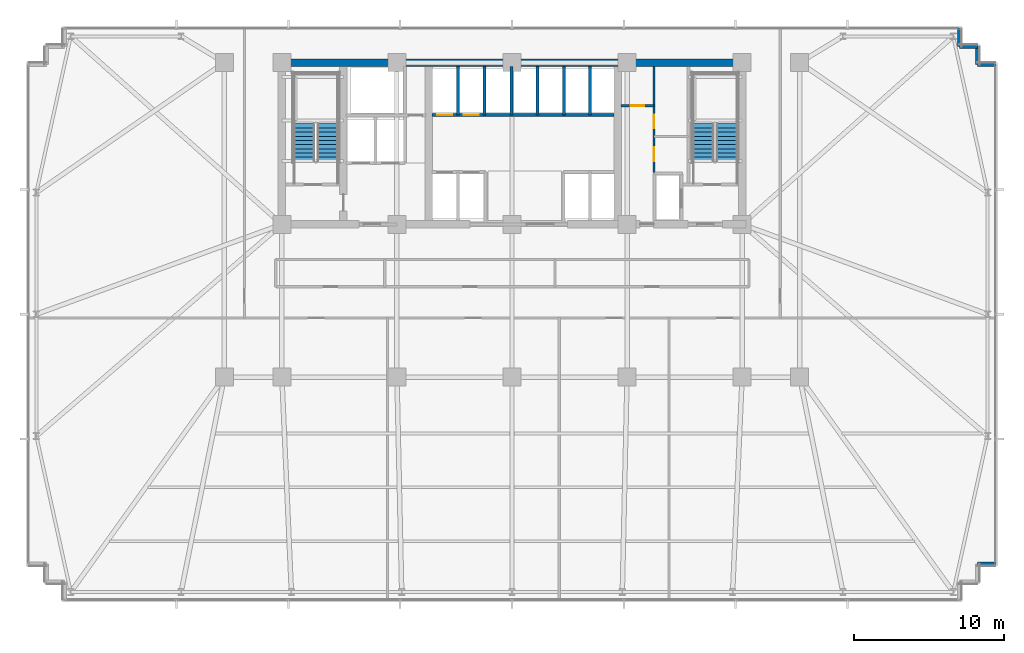
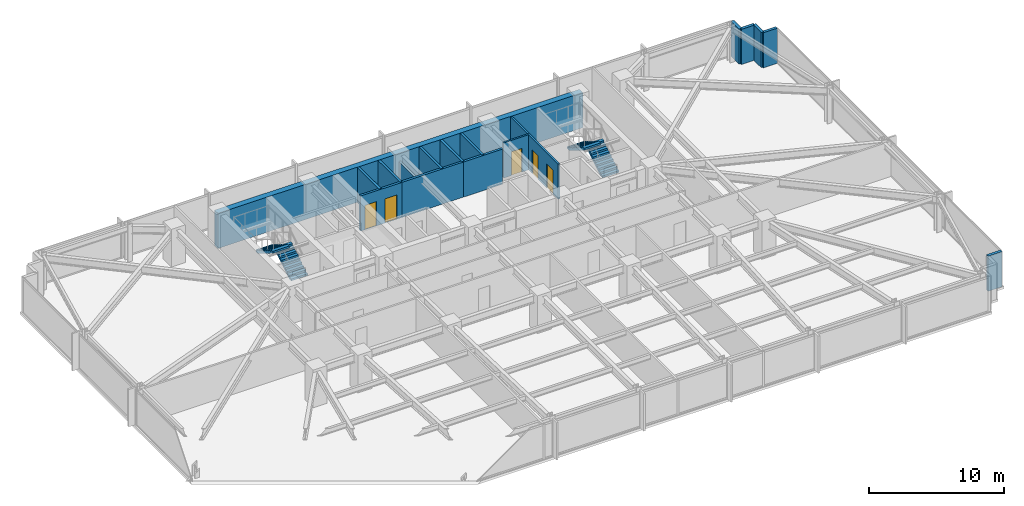
# One storey, part 26 of 33: 17 walls, 5 doors, 4 stair flights, 5 openings, 2 elements without a shape of their own.
"""IFC4 building model written with IfcOpenShell, lengths in metres."""

from ifc_helpers import new_model, si_unit, direction, frame, frame_2d, origin, place, context, subcontext, project, spatial, polyline, rectangle, outline, extrude, material, layer, layer_set, type_object, element, fill, aggregate, save


model = new_model("IFC4")

# Units and contexts
model_context = context("Model", 3, precision=1e-05, world=origin(), true_north=direction((0.0, 1.0)))
body_context = subcontext(model_context, "Body", "Model", "MODEL_VIEW")
ifc_project = project(units=[si_unit("LENGTHUNIT", "METRE"), si_unit("AREAUNIT", "SQUARE_METRE"), si_unit("VOLUMEUNIT", "CUBIC_METRE"), si_unit("PLANEANGLEUNIT", "RADIAN"), si_unit("MASSUNIT", "GRAM", prefix="KILO")], contexts=[model_context])

# Site, building, storey
site_placement = place(None, origin())
site = spatial("IfcSite", under=ifc_project, at=site_placement, CompositionType="ELEMENT")
building_placement = place(site_placement, origin())
building = spatial("IfcBuilding", under=site, at=building_placement, Name="Yelkora Congress Tower", CompositionType="ELEMENT")
storey_placement = place(building_placement, frame((0.0, 0.0, 64.39990234375)))
storey = spatial("IfcBuildingStorey", under=building, at=storey_placement, Name="L16", CompositionType="ELEMENT", Elevation=64.39990234375)

# Walls
ifc_material_1 = material(Name="Concrete C60/75", Category="concrete")
ifc_layer_1 = layer(ifc_material_1, 0.5)
ifc_layer_set_1 = layer_set([ifc_layer_1], Name="Concrete C60/75")
wall_type_1 = type_object("IfcWallType", Name="WALL-CORE-INT-500", PredefinedType="SHEAR", material=ifc_layer_set_1)
wall_1_placement = place(storey_placement, frame((22.7900390625, 46.199951171875, 0.0), z_axis=(0.0, 0.0, 1.0), x_axis=(1.0, 0.0, 0.0)))
element("IfcWall", 1, at=wall_1_placement, inside=storey, type_object=wall_type_1, Name="L16 Rear Core North Shear Wall", PredefinedType="SHEAR", context=body_context, shape_type="SweptSolid", body=[
    extrude(rectangle(XDim=31.219970703125, YDim=0.5, at=frame_2d((15.60986328125, 0.0))), origin(), (0.0, 0.0, 1.0), 3.18017578125),
])
ifc_material_2 = material(Name="Concrete C40/50", Category="concrete")
ifc_layer_2 = layer(ifc_material_2, 0.239990234375)
ifc_layer_set_2 = layer_set([ifc_layer_2], Name="Concrete C40/50")
wall_type_2 = type_object("IfcWallType", Name="WALL-EXT-LIMESTONE-240", PredefinedType="SOLIDWALL", material=ifc_layer_set_2)
for number, where, z_axis, x_axis, name in (
    (2, (68.260009765625, 48.4599609375, 0.0), (0.0, 0.0, 1.0), (0.0, -1.0, 0.0), "L16 Serrated Corner Limestone Pier 11"),
    (3, (68.260009765625, 47.260009765625, 0.0), (0.0, 0.0, 1.0), (1.0, 0.0, 0.0), "L16 Serrated Corner Limestone Pier 12"),
    (4, (69.4599609375, 47.260009765625, 0.0), (0.0, 0.0, 1.0), (0.0, -1.0, 0.0), "L16 Serrated Corner Limestone Pier 13"),
    (5, (69.4599609375, 46.06005859375, 0.0), (0.0, 0.0, 1.0), (1.0, 0.0, 0.0), "L16 Serrated Corner Limestone Pier 14"),
    (6, (70.659912109375, 12.739990234375, 0.0), (0.0, 0.0, 1.0), (-1.0, 0.0, 0.0), "L16 Serrated Corner Limestone Pier 16"),
):
    element("IfcWall", number, at=place(storey_placement, frame(where, z_axis=z_axis, x_axis=x_axis)), inside=storey, type_object=wall_type_2, Name=name, PredefinedType="SOLIDWALL", context=body_context, shape_type="SweptSolid", body=[
        extrude(rectangle(XDim=1.199951171875, YDim=0.239990234375, at=frame_2d((0.60009765625, 0.0))), origin(), (0.0, 0.0, 1.0), 3.18017578125),
    ])

# Wall, opening, door
ifc_material_3 = material(Name="Acoustic metal-stud gypsum partition", Category="gypsum")
ifc_layer_3 = layer(ifc_material_3, 0.14990234375)
ifc_layer_set_3 = layer_set([ifc_layer_3], Name="Acoustic metal-stud gypsum partition")
wall_type_3 = type_object("IfcWallType", Name="WALL-INT-150-NR", PredefinedType="PARTITIONING", material=ifc_layer_set_3)
wall_2_placement = place(storey_placement, frame((45.679931640625, 43.31005859375, 0.0), z_axis=(0.0, 0.0, 1.0), x_axis=(1.0, 0.0, 0.0)))
wall_2 = element("IfcWall", 7, at=wall_2_placement, inside=storey, type_object=wall_type_3, Name="L16 Partition Wall 28", PredefinedType="PARTITIONING", context=body_context, shape_type="SweptSolid", body=[
    extrude(rectangle(XDim=2.199951171875, YDim=0.14990234375, at=frame_2d((1.10009765625, 0.0))), origin(), (0.0, 0.0, 1.0), 3.18017578125),
])
opening_1_placement = place(wall_2_placement, frame((0.64990234375, 0.0, 0.0)))
opening_1 = element("IfcOpeningElement", 8, at=opening_1_placement, cuts=wall_2, Name="Opening DR-090N", PredefinedType="OPENING", context=body_context, shape_type="SweptSolid", body=[
    extrude(rectangle(XDim=0.89990234375, YDim=2.14990234375, at=frame_2d((0.449951171875, 1.074951171875))), frame((0.0, 0.0849609375, 0.0), z_axis=(0.0, -1.0, 0.0), x_axis=(1.0, 0.0, 0.0)), (0.0, 0.0, 1.0), 0.169921875),
])
ifc_material_4 = material(Name="Moisture-resistant laminate door leaf", Category="wood")
door_type_1 = type_object("IfcDoorType", Name="DOOR-INT-900", OperationType="NOTDEFINED", PredefinedType="DOOR", material=ifc_material_4)
door_1_placement = place(opening_1_placement, origin())
door_1 = element("IfcDoor", 9, at=door_1_placement, inside=storey, type_object=door_type_1, Name="L16 Male WC Door", OperationType="SINGLE_SWING_RIGHT", OverallHeight=2.14990234375, OverallWidth=0.89990234375, PredefinedType="DOOR", context=body_context, shape_type="SweptSolid", body=[
    extrude(rectangle(XDim=0.89990234375, YDim=2.14990234375, at=frame_2d((0.449951171875, 1.074951171875))), frame((0.0, 0.02490234375, 0.0), z_axis=(0.0, -1.0, 0.0), x_axis=(1.0, 0.0, 0.0)), (0.0, 0.0, 1.0), 0.050048828125),
])
fill(opening_1, door_1)

# Wall, openings, doors
wall_3_placement = place(storey_placement, frame((47.8798828125, 38.85009765625, 0.0), z_axis=(0.0, 0.0, 1.0), x_axis=(0.0, 1.0, 0.0)))
wall_3 = element("IfcWall", 10, at=wall_3_placement, inside=storey, type_object=wall_type_3, Name="L16 Partition Wall 30", PredefinedType="PARTITIONING", context=body_context, shape_type="SweptSolid", body=[
    extrude(rectangle(XDim=7.06982421875, YDim=0.14990234375, at=frame_2d((3.534912109375, 0.0))), origin(), (0.0, 0.0, 1.0), 3.18017578125),
])
opening_2_placement = place(wall_3_placement, frame((0.75, 0.0, 0.0)))
opening_2 = element("IfcOpeningElement", 11, at=opening_2_placement, cuts=wall_3, Name="Opening DR-095N", PredefinedType="OPENING", context=body_context, shape_type="SweptSolid", body=[
    extrude(rectangle(XDim=0.949951171875, YDim=2.14990234375, at=frame_2d((0.47509765625, 1.074951171875))), frame((0.0, 0.0849609375, 0.0), z_axis=(0.0, -1.0, 0.0), x_axis=(1.0, 0.0, 0.0)), (0.0, 0.0, 1.0), 0.169921875),
])
opening_3_placement = place(wall_3_placement, frame((2.949951171875, 0.0, 0.0)))
opening_3 = element("IfcOpeningElement", 12, at=opening_3_placement, cuts=wall_3, Name="Opening DR-090N", PredefinedType="OPENING", context=body_context, shape_type="SweptSolid", body=[
    extrude(rectangle(XDim=0.89990234375, YDim=2.14990234375, at=frame_2d((0.449951171875, 1.074951171875))), frame((0.0, 0.0849609375, 0.0), z_axis=(0.0, -1.0, 0.0), x_axis=(1.0, 0.0, 0.0)), (0.0, 0.0, 1.0), 0.169921875),
])
door_2_placement = place(opening_3_placement, origin())
door_2 = element("IfcDoor", 13, at=door_2_placement, inside=storey, type_object=door_type_1, Name="L16 Female WC Door", OperationType="SINGLE_SWING_RIGHT", OverallHeight=2.14990234375, OverallWidth=0.89990234375, PredefinedType="DOOR", context=body_context, shape_type="SweptSolid", body=[
    extrude(rectangle(XDim=0.89990234375, YDim=2.14990234375, at=frame_2d((0.449951171875, 1.074951171875))), frame((0.0, 0.02490234375, 0.0), z_axis=(0.0, -1.0, 0.0), x_axis=(1.0, 0.0, 0.0)), (0.0, 0.0, 1.0), 0.050048828125),
])
fill(opening_3, door_2)
ifc_material_5 = material(Name="Acoustic laminated timber office door", Category="wood")
door_type_2 = type_object("IfcDoorType", Name="DOOR-INT-950", OperationType="NOTDEFINED", PredefinedType="DOOR", material=ifc_material_5)
door_3_placement = place(opening_2_placement, origin())
door_3 = element("IfcDoor", 14, at=door_3_placement, inside=storey, type_object=door_type_2, Name="L16 Accessible WC Door", OperationType="SINGLE_SWING_LEFT", OverallHeight=2.14990234375, OverallWidth=0.949951171875, PredefinedType="DOOR", context=body_context, shape_type="SweptSolid", body=[
    extrude(rectangle(XDim=0.949951171875, YDim=2.14990234375, at=frame_2d((0.47509765625, 1.074951171875))), frame((0.0, 0.02490234375, 0.0), z_axis=(0.0, -1.0, 0.0), x_axis=(1.0, 0.0, 0.0)), (0.0, 0.0, 1.0), 0.050048828125),
])
fill(opening_2, door_3)

# Walls
ifc_material_6 = material(Name="Autoclaved aerated concrete blockwork", Category="masonry")
ifc_layer_4 = layer(ifc_material_6, 0.199951171875)
ifc_layer_set_4 = layer_set([ifc_layer_4], Name="Autoclaved aerated concrete blockwork")
wall_type_4 = type_object("IfcWallType", Name="WALL-INT-200-R120", PredefinedType="PARTITIONING", material=ifc_layer_set_4)
wall_4_placement = place(storey_placement, frame((36.60009765625, 42.699951171875, 0.0), z_axis=(0.0, 0.0, 1.0), x_axis=(1.0, 0.0, 0.0)))
element("IfcWall", 15, at=wall_4_placement, inside=storey, type_object=wall_type_4, Name="L16 Partition Wall 8", PredefinedType="PARTITIONING", context=body_context, shape_type="SweptSolid", body=[
    extrude(rectangle(XDim=5.25, YDim=0.199951171875, at=frame_2d((2.625, 0.0))), origin(), (0.0, 0.0, 1.0), 3.18017578125),
])
wall_5_placement = place(storey_placement, frame((38.35009765625, 42.699951171875, 0.0), z_axis=(0.0, 0.0, 1.0), x_axis=(0.0, 1.0, 0.0)))
element("IfcWall", 16, at=wall_5_placement, inside=storey, type_object=wall_type_4, Name="L16 Partition Wall 9", PredefinedType="PARTITIONING", context=body_context, shape_type="SweptSolid", body=[
    extrude(rectangle(XDim=3.219970703125, YDim=0.199951171875, at=frame_2d((1.60986328125, 0.0))), origin(), (0.0, 0.0, 1.0), 2.47509765625),
])
wall_6_placement = place(storey_placement, frame((40.10009765625, 42.699951171875, 0.0), z_axis=(0.0, 0.0, 1.0), x_axis=(0.0, 1.0, 0.0)))
element("IfcWall", 17, at=wall_6_placement, inside=storey, type_object=wall_type_4, Name="L16 Partition Wall 10", PredefinedType="PARTITIONING", context=body_context, shape_type="SweptSolid", body=[
    extrude(rectangle(XDim=3.219970703125, YDim=0.199951171875, at=frame_2d((1.60986328125, 0.0))), origin(), (0.0, 0.0, 1.0), 3.18017578125),
])

# Wall, openings, doors
wall_7_placement = place(storey_placement, frame((33.050048828125, 42.699951171875, 0.0), z_axis=(0.0, 0.0, 1.0), x_axis=(1.0, 0.0, 0.0)))
wall_7 = element("IfcWall", 18, at=wall_7_placement, inside=storey, type_object=wall_type_4, Name="L16 Partition Wall 12", PredefinedType="PARTITIONING", context=body_context, shape_type="SweptSolid", body=[
    extrude(rectangle(XDim=3.570068359375, YDim=0.199951171875, at=frame_2d((1.78515625, 0.0))), origin(), (0.0, 0.0, 1.0), 3.18017578125),
])
opening_4_placement = place(wall_7_placement, frame((0.375, 0.0, 0.0)))
opening_4 = element("IfcOpeningElement", 19, at=opening_4_placement, cuts=wall_7, Name="Opening LD-PS10", PredefinedType="OPENING", context=body_context, shape_type="SweptSolid", body=[
    extrude(rectangle(XDim=1.0, YDim=2.199951171875, at=frame_2d((0.5, 1.10009765625))), frame((0.0, 0.10986328125, 0.0), z_axis=(0.0, -1.0, 0.0), x_axis=(1.0, 0.0, 0.0)), (0.0, 0.0, 1.0), 0.219970703125),
])
opening_5_placement = place(wall_7_placement, frame((2.125, 0.0, 0.0)))
opening_5 = element("IfcOpeningElement", 20, at=opening_5_placement, cuts=wall_7, Name="Opening LD-PS10", PredefinedType="OPENING", context=body_context, shape_type="SweptSolid", body=[
    extrude(rectangle(XDim=1.0, YDim=2.199951171875, at=frame_2d((0.5, 1.10009765625))), frame((0.0, 0.10986328125, 0.0), z_axis=(0.0, -1.0, 0.0), x_axis=(1.0, 0.0, 0.0)), (0.0, 0.0, 1.0), 0.219970703125),
])
ifc_material_7 = material(Name="Champagne stainless steel landing door", Category="steel")
door_type_3 = type_object("IfcDoorType", Name="DOOR-LIFT-PAS-1000", OperationType="DOUBLE_DOOR_SLIDING", PredefinedType="DOOR", material=ifc_material_7)
door_4_placement = place(opening_4_placement, origin())
door_4 = element("IfcDoor", 21, at=door_4_placement, inside=storey, type_object=door_type_3, Name="Lift Landing Door LF-P3 L16", OperationType="DOUBLE_DOOR_SLIDING", OverallHeight=2.199951171875, OverallWidth=1.0, PredefinedType="DOOR", context=body_context, shape_type="SweptSolid", body=[
    extrude(rectangle(XDim=1.0, YDim=2.199951171875, at=frame_2d((0.5, 1.10009765625))), frame((0.0, 0.02490234375, 0.0), z_axis=(0.0, -1.0, 0.0), x_axis=(1.0, 0.0, 0.0)), (0.0, 0.0, 1.0), 0.050048828125),
])
fill(opening_4, door_4)
door_5_placement = place(opening_5_placement, origin())
door_5 = element("IfcDoor", 22, at=door_5_placement, inside=storey, type_object=door_type_3, Name="Lift Landing Door LF-P4 L16", OperationType="DOUBLE_DOOR_SLIDING", OverallHeight=2.199951171875, OverallWidth=1.0, PredefinedType="DOOR", context=body_context, shape_type="SweptSolid", body=[
    extrude(rectangle(XDim=1.0, YDim=2.199951171875, at=frame_2d((0.5, 1.10009765625))), frame((0.0, 0.02490234375, 0.0), z_axis=(0.0, -1.0, 0.0), x_axis=(1.0, 0.0, 0.0)), (0.0, 0.0, 1.0), 0.050048828125),
])
fill(opening_5, door_5)

# Walls
for number, where, z_axis, x_axis, name in (
    (23, (34.800048828125, 42.699951171875, 0.0), (0.0, 0.0, 1.0), (0.0, 1.0, 0.0), "L16 Partition Wall 14"),
    (24, (36.580078125, 42.699951171875, 0.0), (0.0, 0.0, 1.0), (0.0, 1.0, 0.0), "L16 Partition Wall 16"),
):
    element("IfcWall", number, at=place(storey_placement, frame(where, z_axis=z_axis, x_axis=x_axis)), inside=storey, type_object=wall_type_4, Name=name, PredefinedType="PARTITIONING", context=body_context, shape_type="SweptSolid", body=[
        extrude(rectangle(XDim=3.219970703125, YDim=0.199951171875, at=frame_2d((1.60986328125, 0.0))), origin(), (0.0, 0.0, 1.0), 3.18017578125),
    ])
wall_8_placement = place(storey_placement, frame((41.85009765625, 42.699951171875, 0.0), z_axis=(0.0, 0.0, 1.0), x_axis=(1.0, 0.0, 0.0)))
element("IfcWall", 25, at=wall_8_placement, inside=storey, type_object=wall_type_4, Name="L16 Partition Wall 18", PredefinedType="PARTITIONING", context=body_context, shape_type="SweptSolid", body=[
    extrude(rectangle(XDim=3.369873046875, YDim=0.199951171875, at=frame_2d((1.68505859375, 0.0))), origin(), (0.0, 0.0, 1.0), 3.18017578125),
])
for number, where, z_axis, x_axis, name in (
    (26, (43.60009765625, 42.699951171875, 0.0), (0.0, 0.0, 1.0), (0.0, 1.0, 0.0), "L16 Partition Wall 20"),
    (27, (41.8798828125, 42.699951171875, 0.0), (0.0, 0.0, 1.0), (0.0, 1.0, 0.0), "L16 Partition Wall 22"),
):
    element("IfcWall", number, at=place(storey_placement, frame(where, z_axis=z_axis, x_axis=x_axis)), inside=storey, type_object=wall_type_4, Name=name, PredefinedType="PARTITIONING", context=body_context, shape_type="SweptSolid", body=[
        extrude(rectangle(XDim=3.219970703125, YDim=0.199951171875, at=frame_2d((1.60986328125, 0.0))), origin(), (0.0, 0.0, 1.0), 3.18017578125),
    ])

# Stair, stair flights
stair_type = type_object("IfcStairType", Name="STAIR-HT-1420-R20-170", PredefinedType="HALF_TURN_STAIR", material=ifc_material_2)
stair_1_placement = place(storey_placement, origin())
stair_1 = element("IfcStair", 28, at=stair_1_placement, inside=storey, type_object=stair_type, Name="West Core Protected Exit Stair ST-01 (L16)", PredefinedType="HALF_TURN_STAIR")
stair_flight_type = type_object("IfcStairFlightType", Name="FLIGHT-1420-N10-R170-G280", PredefinedType="STRAIGHT", material=ifc_material_2)
stair_flight_1_placement = place(storey_placement, frame((26.110107421875, 39.60009765625, 0.0), z_axis=(0.0, 0.0, 1.0), x_axis=(0.0, 1.0, 0.0)))
stair_flight_1 = element("IfcStairFlight", 29, at=stair_flight_1_placement, type_object=stair_flight_type, Name="ST-01 L16 Flight 1", NumberOfRisers=10, NumberOfTreads=9, PredefinedType="STRAIGHT", RiserHeight=0.17, TreadLength=0.28, context=body_context, shape_type="SweptSolid", body=[
    extrude(outline(polyline([(0.0, 0.0), (0.0, 0.169921875), (0.280029296875, 0.169921875), (0.280029296875, 0.340087890625), (0.56005859375, 0.340087890625), (0.56005859375, 0.510009765625), (0.840087890625, 0.510009765625), (0.840087890625, 0.679931640625), (1.1201171875, 0.679931640625), (1.1201171875, 0.85009765625), (1.39990234375, 0.85009765625), (1.39990234375, 1.02001953125), (1.679931640625, 1.02001953125), (1.679931640625, 1.18994140625), (1.9599609375, 1.18994140625), (1.9599609375, 1.360107421875), (2.239990234375, 1.360107421875), (2.239990234375, 1.530029296875), (2.52001953125, 1.530029296875), (2.52001953125, 1.699951171875), (2.52001953125, 1.343017578125), (0.30810546875, 0.0), (0.0, 0.0)])), frame((0.0, 0.7099609375, 0.0), z_axis=(0.0, -1.0, 0.0), x_axis=(1.0, 0.0, 0.0)), (0.0, 0.0, 1.0), 1.419921875),
])
stair_flight_2_placement = place(storey_placement, frame((24.530029296875, 42.1201171875, 1.7001953125), z_axis=(0.0, 0.0, 1.0), x_axis=(0.0, -1.0, 0.0)))
stair_flight_2 = element("IfcStairFlight", 30, at=stair_flight_2_placement, type_object=stair_flight_type, Name="ST-01 L16 Flight 2", NumberOfRisers=10, NumberOfTreads=9, PredefinedType="STRAIGHT", RiserHeight=0.17, TreadLength=0.28, context=body_context, shape_type="SweptSolid", body=[
    extrude(outline(polyline([(0.0, 0.0), (0.0, 0.169921875), (0.280029296875, 0.169921875), (0.280029296875, 0.340087890625), (0.56005859375, 0.340087890625), (0.56005859375, 0.510009765625), (0.840087890625, 0.510009765625), (0.840087890625, 0.679931640625), (1.1201171875, 0.679931640625), (1.1201171875, 0.85009765625), (1.39990234375, 0.85009765625), (1.39990234375, 1.02001953125), (1.679931640625, 1.02001953125), (1.679931640625, 1.18994140625), (1.9599609375, 1.18994140625), (1.9599609375, 1.360107421875), (2.239990234375, 1.360107421875), (2.239990234375, 1.530029296875), (2.52001953125, 1.530029296875), (2.52001953125, 1.699951171875), (2.52001953125, 1.343017578125), (0.30810546875, 0.0), (0.0, 0.0)])), frame((0.0, 0.7099609375, 0.0), z_axis=(0.0, -1.0, 0.0), x_axis=(1.0, 0.0, 0.0)), (0.0, 0.0, 1.0), 1.419921875),
])
aggregate(stair_1, [stair_flight_1, stair_flight_2])

stair_2_placement = place(storey_placement, origin())
stair_2 = element("IfcStair", 31, at=stair_2_placement, inside=storey, type_object=stair_type, Name="East Core Protected Exit Stair ST-02 (L16)", PredefinedType="HALF_TURN_STAIR")
stair_flight_3_placement = place(storey_placement, frame((52.75, 39.60009765625, 0.0), z_axis=(0.0, 0.0, 1.0), x_axis=(0.0, 1.0, 0.0)))
stair_flight_3 = element("IfcStairFlight", 32, at=stair_flight_3_placement, type_object=stair_flight_type, Name="ST-02 L16 Flight 1", NumberOfRisers=10, NumberOfTreads=9, PredefinedType="STRAIGHT", RiserHeight=0.17, TreadLength=0.28, context=body_context, shape_type="SweptSolid", body=[
    extrude(outline(polyline([(0.0, 0.0), (0.0, 0.169921875), (0.280029296875, 0.169921875), (0.280029296875, 0.340087890625), (0.56005859375, 0.340087890625), (0.56005859375, 0.510009765625), (0.840087890625, 0.510009765625), (0.840087890625, 0.679931640625), (1.1201171875, 0.679931640625), (1.1201171875, 0.85009765625), (1.39990234375, 0.85009765625), (1.39990234375, 1.02001953125), (1.679931640625, 1.02001953125), (1.679931640625, 1.18994140625), (1.9599609375, 1.18994140625), (1.9599609375, 1.360107421875), (2.239990234375, 1.360107421875), (2.239990234375, 1.530029296875), (2.52001953125, 1.530029296875), (2.52001953125, 1.699951171875), (2.52001953125, 1.343017578125), (0.30810546875, 0.0), (0.0, 0.0)])), frame((0.0, 0.7099609375, 0.0), z_axis=(0.0, -1.0, 0.0), x_axis=(1.0, 0.0, 0.0)), (0.0, 0.0, 1.0), 1.419921875),
])
stair_flight_4_placement = place(storey_placement, frame((51.169921875, 42.1201171875, 1.7001953125), z_axis=(0.0, 0.0, 1.0), x_axis=(0.0, -1.0, 0.0)))
stair_flight_4 = element("IfcStairFlight", 33, at=stair_flight_4_placement, type_object=stair_flight_type, Name="ST-02 L16 Flight 2", NumberOfRisers=10, NumberOfTreads=9, PredefinedType="STRAIGHT", RiserHeight=0.17, TreadLength=0.28, context=body_context, shape_type="SweptSolid", body=[
    extrude(outline(polyline([(0.0, 0.0), (0.0, 0.169921875), (0.280029296875, 0.169921875), (0.280029296875, 0.340087890625), (0.56005859375, 0.340087890625), (0.56005859375, 0.510009765625), (0.840087890625, 0.510009765625), (0.840087890625, 0.679931640625), (1.1201171875, 0.679931640625), (1.1201171875, 0.85009765625), (1.39990234375, 0.85009765625), (1.39990234375, 1.02001953125), (1.679931640625, 1.02001953125), (1.679931640625, 1.18994140625), (1.9599609375, 1.18994140625), (1.9599609375, 1.360107421875), (2.239990234375, 1.360107421875), (2.239990234375, 1.530029296875), (2.52001953125, 1.530029296875), (2.52001953125, 1.699951171875), (2.52001953125, 1.343017578125), (0.30810546875, 0.0), (0.0, 0.0)])), frame((0.0, 0.7099609375, 0.0), z_axis=(0.0, -1.0, 0.0), x_axis=(1.0, 0.0, 0.0)), (0.0, 0.0, 1.0), 1.419921875),
])
aggregate(stair_2, [stair_flight_3, stair_flight_4])

save(model, "model.ifc")
